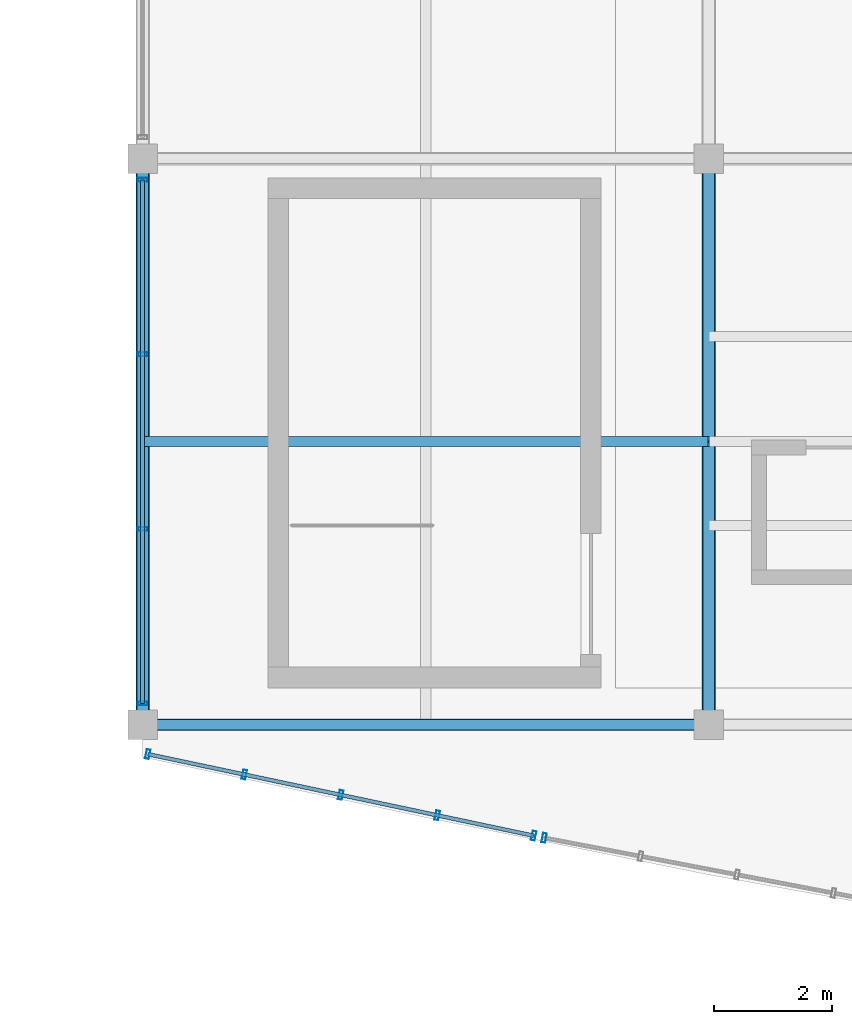
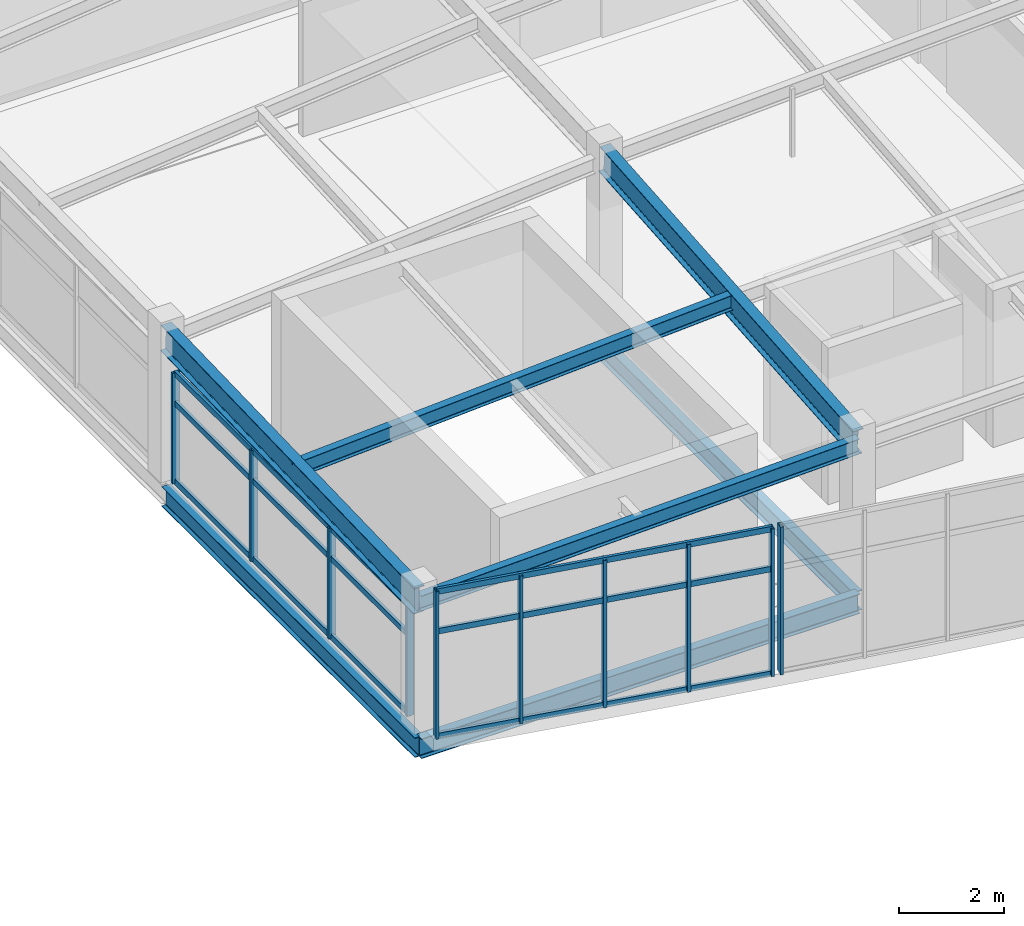
# One storey, part 31 of 65: 18 members, 5 beams, 3 elements without a shape of their own.
"""IFC4 building model written with IfcOpenShell, lengths in metres."""

from ifc_helpers import new_model, si_unit, direction, frame, origin, origin_2d, place, context, subcontext, project, spatial, hollow_rectangle, i_section, extrude, material, layer, layer_set, material_profile, profile_set, type_object, element, aggregate, save


model = new_model("IFC4")

# Units and contexts
model_context = context("Model", 3, precision=1e-05, world=origin(), true_north=direction((0.0, 1.0)))
body_context = subcontext(model_context, "Body", "Model", "MODEL_VIEW")
ifc_project = project(units=[si_unit("LENGTHUNIT", "METRE"), si_unit("AREAUNIT", "SQUARE_METRE"), si_unit("VOLUMEUNIT", "CUBIC_METRE"), si_unit("PLANEANGLEUNIT", "RADIAN"), si_unit("MASSUNIT", "GRAM", prefix="KILO")], contexts=[model_context])

# Site, building, storey
site_placement = place(None, origin())
site = spatial("IfcSite", under=ifc_project, at=site_placement, CompositionType="ELEMENT")
building_placement = place(site_placement, origin())
building = spatial("IfcBuilding", under=site, at=building_placement, Name="Chalmorin Arch Market", CompositionType="ELEMENT")
storey_placement = place(building_placement, frame((0.0, 0.0, 14.10009765625)))
storey = spatial("IfcBuildingStorey", under=building, at=storey_placement, Name="L03", CompositionType="ELEMENT", Elevation=14.10009765625)

# Curtain wall, members
ifc_material_1 = material(Name="Aluminium 6063-T6", Category="aluminium")
ifc_layer_1 = layer(ifc_material_1, 0.159912109375)
ifc_layer_set_1 = layer_set([ifc_layer_1], Name="Aluminium 6063-T6")
curtain_wall_type_1 = type_object("IfcCurtainWallType", Name="CulinaryStudioCurtainWall-CW3-8880x2570", PredefinedType="NOTDEFINED", material=ifc_layer_set_1)
curtain_wall_1_placement = place(storey_placement, origin())
curtain_wall_1 = element("IfcCurtainWall", 1, at=curtain_wall_1_placement, inside=storey, type_object=curtain_wall_type_1, Name="CW-03-109", PredefinedType="NOTDEFINED")
ifc_material_profile_1 = material_profile(ifc_material_1, hollow_rectangle(XDim=0.06494140625, YDim=0.159912109375, WallThickness=0.00390625, at=origin_2d()), Name="ALU65X160X4")
ifc_profile_set_1 = profile_set([ifc_material_profile_1], Name="Aluminium 6063-T6")
member_type_1 = type_object("IfcMemberType", Name="CurtainWallMullion-65x160", PredefinedType="MULLION", material=ifc_profile_set_1)
member_1_placement = place(storey_placement, frame((48.0, 72.360107421875, 0.0), z_axis=(0.0, 0.0, 1.0), x_axis=(0.0, 1.0, 0.0)))
member_1 = element("IfcMember", 2, at=member_1_placement, type_object=member_type_1, Name="ML-109-01", PredefinedType="MULLION", context=body_context, shape_type="SweptSolid", body=[
    extrude(hollow_rectangle(XDim=0.06494140625, YDim=0.159912109375, WallThickness=0.00390625, at=origin_2d()), origin(), (0.0, 0.0, 1.0), 2.56591796875),
])
member_2_placement = place(storey_placement, frame((48.0, 75.320068359375, 0.0), z_axis=(0.0, 0.0, 1.0), x_axis=(0.0, 1.0, 0.0)))
member_2 = element("IfcMember", 3, at=member_2_placement, type_object=member_type_1, Name="ML-109-02", PredefinedType="MULLION", context=body_context, shape_type="SweptSolid", body=[
    extrude(hollow_rectangle(XDim=0.06494140625, YDim=0.159912109375, WallThickness=0.00390625, at=origin_2d()), origin(), (0.0, 0.0, 1.0), 2.56591796875),
])
member_3_placement = place(storey_placement, frame((48.0, 78.280029296875, 0.0), z_axis=(0.0, 0.0, 1.0), x_axis=(0.0, 1.0, 0.0)))
member_3 = element("IfcMember", 4, at=member_3_placement, type_object=member_type_1, Name="ML-109-03", PredefinedType="MULLION", context=body_context, shape_type="SweptSolid", body=[
    extrude(hollow_rectangle(XDim=0.06494140625, YDim=0.159912109375, WallThickness=0.00390625, at=origin_2d()), origin(), (0.0, 0.0, 1.0), 2.56591796875),
])
member_4_placement = place(storey_placement, frame((48.0, 81.239990234375, 0.0), z_axis=(0.0, 0.0, 1.0), x_axis=(0.0, 1.0, 0.0)))
member_4 = element("IfcMember", 5, at=member_4_placement, type_object=member_type_1, Name="ML-109-04", PredefinedType="MULLION", context=body_context, shape_type="SweptSolid", body=[
    extrude(hollow_rectangle(XDim=0.06494140625, YDim=0.159912109375, WallThickness=0.00390625, at=origin_2d()), origin(), (0.0, 0.0, 1.0), 2.56591796875),
])

ifc_layer_2 = layer(ifc_material_1, 0.159912109375)
ifc_layer_set_2 = layer_set([ifc_layer_2], Name="Aluminium 6063-T6")
curtain_wall_type_2 = type_object("IfcCurtainWallType", Name="CulinaryStudioCurtainWall-CW3-6690x3420", PredefinedType="NOTDEFINED", material=ifc_layer_set_2)
curtain_wall_2_placement = place(storey_placement, origin())
curtain_wall_2 = element("IfcCurtainWall", 6, at=curtain_wall_2_placement, inside=storey, type_object=curtain_wall_type_2, Name="CW-03-152", PredefinedType="NOTDEFINED")
member_5_placement = place(storey_placement, frame((48.088134765625, 71.50146484375, -0.02001953125), z_axis=(0.0, 0.0, 1.0), x_axis=(0.978147600734, -0.207911690818, 0.0)))
member_5 = element("IfcMember", 7, at=member_5_placement, type_object=member_type_1, Name="ML-152-01", PredefinedType="MULLION", context=body_context, shape_type="SweptSolid", body=[
    extrude(hollow_rectangle(XDim=0.06494140625, YDim=0.159912109375, WallThickness=0.00390625, at=origin_2d()), origin(), (0.0, 0.0, 1.0), 3.416015625),
])
member_6_placement = place(storey_placement, frame((49.72412109375, 71.155517578125, -0.02001953125), z_axis=(0.0, 0.0, 1.0), x_axis=(0.978147600734, -0.207911690818, 0.0)))
member_6 = element("IfcMember", 8, at=member_6_placement, type_object=member_type_1, Name="ML-152-02", PredefinedType="MULLION", context=body_context, shape_type="SweptSolid", body=[
    extrude(hollow_rectangle(XDim=0.06494140625, YDim=0.159912109375, WallThickness=0.00390625, at=origin_2d()), origin(), (0.0, 0.0, 1.0), 3.416015625),
])
member_7_placement = place(storey_placement, frame((51.360107421875, 70.8095703125, -0.02001953125), z_axis=(0.0, 0.0, 1.0), x_axis=(0.978147600734, -0.207911690818, 0.0)))
member_7 = element("IfcMember", 9, at=member_7_placement, type_object=member_type_1, Name="ML-152-03", PredefinedType="MULLION", context=body_context, shape_type="SweptSolid", body=[
    extrude(hollow_rectangle(XDim=0.06494140625, YDim=0.159912109375, WallThickness=0.00390625, at=origin_2d()), origin(), (0.0, 0.0, 1.0), 3.416015625),
])
member_8_placement = place(storey_placement, frame((52.99609375, 70.46337890625, -0.02001953125), z_axis=(0.0, 0.0, 1.0), x_axis=(0.978147600734, -0.207911690818, 0.0)))
member_8 = element("IfcMember", 10, at=member_8_placement, type_object=member_type_1, Name="ML-152-04", PredefinedType="MULLION", context=body_context, shape_type="SweptSolid", body=[
    extrude(hollow_rectangle(XDim=0.06494140625, YDim=0.159912109375, WallThickness=0.00390625, at=origin_2d()), origin(), (0.0, 0.0, 1.0), 3.416015625),
])
member_9_placement = place(storey_placement, frame((54.6318359375, 70.11767578125, -0.02001953125), z_axis=(0.0, 0.0, 1.0), x_axis=(0.978147600734, -0.207911690818, 0.0)))
member_9 = element("IfcMember", 11, at=member_9_placement, type_object=member_type_1, Name="ML-152-05", PredefinedType="MULLION", context=body_context, shape_type="SweptSolid", body=[
    extrude(hollow_rectangle(XDim=0.06494140625, YDim=0.159912109375, WallThickness=0.00390625, at=origin_2d()), origin(), (0.0, 0.0, 1.0), 3.416015625),
])

# Curtain wall, member
ifc_layer_3 = layer(ifc_material_1, 0.159912109375)
ifc_layer_set_3 = layer_set([ifc_layer_3], Name="Aluminium 6063-T6")
curtain_wall_type_3 = type_object("IfcCurtainWallType", Name="CulinaryStudioCurtainWall-CW3-6660x3420", PredefinedType="NOTDEFINED", material=ifc_layer_set_3)
curtain_wall_3_placement = place(storey_placement, origin())
curtain_wall_3 = element("IfcCurtainWall", 12, at=curtain_wall_3_placement, inside=storey, type_object=curtain_wall_type_3, Name="CW-03-155", PredefinedType="NOTDEFINED")
member_10_placement = place(storey_placement, frame((54.808349609375, 70.08203125, -0.02001953125), z_axis=(0.0, 0.0, 1.0), x_axis=(0.981627183448, -0.190808995377, 0.0)))
member_10 = element("IfcMember", 13, at=member_10_placement, type_object=member_type_1, Name="ML-155-01", PredefinedType="MULLION", context=body_context, shape_type="SweptSolid", body=[
    extrude(hollow_rectangle(XDim=0.06494140625, YDim=0.159912109375, WallThickness=0.00390625, at=origin_2d()), origin(), (0.0, 0.0, 1.0), 3.4208984375),
])
aggregate(curtain_wall_3, [member_10])

# Member
ifc_material_profile_2 = material_profile(ifc_material_1, hollow_rectangle(XDim=0.06494140625, YDim=0.1298828125, WallThickness=0.00390625, at=origin_2d()), Name="ALU65X130X4")
ifc_profile_set_2 = profile_set([ifc_material_profile_2], Name="Aluminium 6063-T6")
member_type_2 = type_object("IfcMemberType", Name="CurtainWallTransom-65x130", PredefinedType="USERDEFINED", material=ifc_profile_set_2)
member_11_placement = place(storey_placement, frame((48.0, 72.360107421875, 0.034912109375), z_axis=(0.0, 1.0, 0.0), x_axis=(-1.0, 0.0, 0.0)))
member_11 = element("IfcMember", 14, at=member_11_placement, type_object=member_type_2, Name="TR-109-01", ObjectType="TRANSOM", PredefinedType="USERDEFINED", context=body_context, shape_type="SweptSolid", body=[
    extrude(hollow_rectangle(XDim=0.06494140625, YDim=0.1298828125, WallThickness=0.00390625, at=origin_2d()), origin(), (0.0, 0.0, 1.0), 8.8798828125),
])

member_12_placement = place(storey_placement, frame((48.0, 72.360107421875, 1.847412109375), z_axis=(0.0, 1.0, 0.0), x_axis=(-1.0, 0.0, 0.0)))
member_12 = element("IfcMember", 15, at=member_12_placement, type_object=member_type_2, Name="TR-109-02", ObjectType="TRANSOM", PredefinedType="USERDEFINED", context=body_context, shape_type="SweptSolid", body=[
    extrude(hollow_rectangle(XDim=0.06494140625, YDim=0.1298828125, WallThickness=0.00390625, at=origin_2d()), origin(), (0.0, 0.0, 1.0), 8.8798828125),
])

member_13_placement = place(storey_placement, frame((48.0, 72.360107421875, 2.531005859375), z_axis=(0.0, 1.0, 0.0), x_axis=(-1.0, 0.0, 0.0)))
member_13 = element("IfcMember", 16, at=member_13_placement, type_object=member_type_2, Name="TR-109-03", ObjectType="TRANSOM", PredefinedType="USERDEFINED", context=body_context, shape_type="SweptSolid", body=[
    extrude(hollow_rectangle(XDim=0.06494140625, YDim=0.1298828125, WallThickness=0.00390625, at=origin_2d()), origin(), (0.0, 0.0, 1.0), 8.8798828125),
])

aggregate(curtain_wall_1, [member_1, member_2, member_3, member_4, member_11, member_12, member_13])

member_14_placement = place(storey_placement, frame((48.088134765625, 71.50146484375, 0.014892578125), z_axis=(0.978363487727, -0.206893416723, 0.0), x_axis=(0.206893416723, 0.978363487727, 0.0)))
member_14 = element("IfcMember", 17, at=member_14_placement, type_object=member_type_2, Name="TR-152-01", ObjectType="TRANSOM", PredefinedType="USERDEFINED", context=body_context, shape_type="SweptSolid", body=[
    extrude(hollow_rectangle(XDim=0.06494140625, YDim=0.1298828125, WallThickness=0.00390625, at=origin_2d()), origin(), (0.0, 0.0, 1.0), 6.6884765625),
])

member_15_placement = place(storey_placement, frame((48.088134765625, 71.50146484375, 2.439453125), z_axis=(0.978363487727, -0.206893416723, 0.0), x_axis=(0.206893416723, 0.978363487727, 0.0)))
member_15 = element("IfcMember", 18, at=member_15_placement, type_object=member_type_2, Name="TR-152-02", ObjectType="TRANSOM", PredefinedType="USERDEFINED", context=body_context, shape_type="SweptSolid", body=[
    extrude(hollow_rectangle(XDim=0.06494140625, YDim=0.1298828125, WallThickness=0.00390625, at=origin_2d()), origin(), (0.0, 0.0, 1.0), 6.6884765625),
])

member_16_placement = place(storey_placement, frame((48.088134765625, 71.50146484375, 3.36083984375), z_axis=(0.978363487727, -0.206893416723, 0.0), x_axis=(0.206893416723, 0.978363487727, 0.0)))
member_16 = element("IfcMember", 19, at=member_16_placement, type_object=member_type_2, Name="TR-152-03", ObjectType="TRANSOM", PredefinedType="USERDEFINED", context=body_context, shape_type="SweptSolid", body=[
    extrude(hollow_rectangle(XDim=0.06494140625, YDim=0.1298828125, WallThickness=0.00390625, at=origin_2d()), origin(), (0.0, 0.0, 1.0), 6.6884765625),
])

aggregate(curtain_wall_2, [member_5, member_6, member_7, member_8, member_9, member_14, member_15, member_16])

# Beams
ifc_material_2 = material(Name="Steel A992 Grade 50", Category="steel")
ifc_material_profile_3 = material_profile(ifc_material_2, i_section(OverallWidth=0.19091796875, OverallDepth=0.45703125, WebThickness=0.009033203125, FlangeThickness=0.014404296875, FilletRadius=0.02001953125, at=origin_2d()), Name="W18X50")
ifc_profile_set_3 = profile_set([ifc_material_profile_3], Name="Steel A992 Grade 50")
beam_type_1 = type_object("IfcBeamType", Name="FloorSteelBeam-W18X50", PredefinedType="BEAM", material=ifc_profile_set_3)
beam_1_placement = place(storey_placement, frame((57.60009765625, 72.0, -0.510498046875), z_axis=(0.0, 1.0, 0.0), x_axis=(-1.0, 0.0, 0.0)))
element("IfcBeam", 20, at=beam_1_placement, inside=storey, type_object=beam_type_1, Name="BM-W18B-1380", PredefinedType="BEAM", context=body_context, shape_type="SweptSolid", body=[
    extrude(i_section(OverallWidth=0.19091796875, OverallDepth=0.45703125, WebThickness=0.009033203125, FlangeThickness=0.014404296875, FilletRadius=0.02001953125, at=origin_2d()), origin(), (0.0, 0.0, 1.0), 9.60009765625),
])
ifc_material_profile_4 = material_profile(ifc_material_2, i_section(OverallWidth=0.19091796875, OverallDepth=0.45703125, WebThickness=0.009033203125, FlangeThickness=0.014404296875, FilletRadius=0.02001953125, at=origin_2d()), Name="W18X50")
ifc_profile_set_4 = profile_set([ifc_material_profile_4], Name="Steel A992 Grade 50")
beam_type_2 = type_object("IfcBeamType", Name="PerimeterSpandrelBeam-W18X50", PredefinedType="SPANDREL", material=ifc_profile_set_4)
for number, where, z_axis, x_axis, name in (
    (21, (48.0, 72.0, -0.510498046875), (1.0, 0.0, 0.0), (0.0, 1.0, 0.0), "SP-W18-1377"),
    (22, (48.0, 72.0, -0.510498046875), (0.0, 1.0, 0.0), (-1.0, 0.0, 0.0), "SP-W18-1379"),
):
    element("IfcBeam", number, at=place(storey_placement, frame(where, z_axis=z_axis, x_axis=x_axis)), inside=storey, type_object=beam_type_2, Name=name, PredefinedType="SPANDREL", context=body_context, shape_type="SweptSolid", body=[
        extrude(i_section(OverallWidth=0.19091796875, OverallDepth=0.45703125, WebThickness=0.009033203125, FlangeThickness=0.014404296875, FilletRadius=0.02001953125, at=origin_2d()), origin(), (0.0, 0.0, 1.0), 9.60009765625),
    ])
ifc_material_profile_5 = material_profile(ifc_material_2, i_section(OverallWidth=0.22802734375, OverallDepth=0.60791015625, WebThickness=0.01123046875, FlangeThickness=0.017333984375, FilletRadius=0.02392578125, at=origin_2d()), Name="W24X76")
ifc_profile_set_5 = profile_set([ifc_material_profile_5], Name="Steel A992 Grade 50")
beam_type_3 = type_object("IfcBeamType", Name="PrimarySteelGirder-W24X76", PredefinedType="BEAM", material=ifc_profile_set_5)
beam_2_placement = place(storey_placement, frame((48.0, 72.0, 2.885009765625), z_axis=(0.0, 0.999578539973, 0.029030026261), x_axis=(-1.0, 0.0, 0.0)))
element("IfcBeam", 23, at=beam_2_placement, inside=storey, type_object=beam_type_3, Name="BG-W24B-1545", PredefinedType="BEAM", context=body_context, shape_type="SweptSolid", body=[
    extrude(i_section(OverallWidth=0.22802734375, OverallDepth=0.60791015625, WebThickness=0.01123046875, FlangeThickness=0.017333984375, FilletRadius=0.02392578125, at=origin_2d()), origin(), (0.0, 0.0, 1.0), 9.604248046875),
])
beam_3_placement = place(storey_placement, frame((57.60009765625, 72.0, 3.164794921875), z_axis=(0.0, 0.99671529307, 0.08098533547), x_axis=(-1.0, 0.0, 0.0)))
element("IfcBeam", 24, at=beam_3_placement, inside=storey, type_object=beam_type_3, Name="BG-W24B-1550", PredefinedType="BEAM", context=body_context, shape_type="SweptSolid", body=[
    extrude(i_section(OverallWidth=0.22802734375, OverallDepth=0.60791015625, WebThickness=0.01123046875, FlangeThickness=0.017333984375, FilletRadius=0.02392578125, at=origin_2d()), origin(), (0.0, 0.0, 1.0), 9.6318359375),
])

# Members
ifc_material_profile_6 = material_profile(ifc_material_2, i_section(OverallWidth=0.1708984375, OverallDepth=0.35107421875, WebThickness=0.0068359375, FlangeThickness=0.009765625, FilletRadius=0.014892578125, at=origin_2d()), Name="W14X30")
ifc_profile_set_6 = profile_set([ifc_material_profile_6], Name="Steel A992 Grade 50")
member_type_3 = type_object("IfcMemberType", Name="RoofSteelPurlin-W14X30", PredefinedType="PURLIN", material=ifc_profile_set_6)
member_17_placement = place(storey_placement, frame((48.0, 72.0, 2.844970703125), z_axis=(0.999574843709, 0.0, 0.029157020135), x_axis=(0.0, 1.0, 0.0)))
element("IfcMember", 25, at=member_17_placement, inside=storey, type_object=member_type_3, Name="PR-W14-0049", PredefinedType="PURLIN", context=body_context, shape_type="SweptSolid", body=[
    extrude(i_section(OverallWidth=0.1708984375, OverallDepth=0.35107421875, WebThickness=0.0068359375, FlangeThickness=0.009765625, FilletRadius=0.014892578125, at=origin_2d()), origin(), (0.0, 0.0, 1.0), 9.604248046875),
])
member_18_placement = place(storey_placement, frame((48.0, 76.800048828125, 2.995849609375), z_axis=(0.998356799916, 0.0, 0.057303578084), x_axis=(0.0, 1.0, 0.0)))
element("IfcMember", 26, at=member_18_placement, inside=storey, type_object=member_type_3, Name="PR-W14-0056", PredefinedType="PURLIN", context=body_context, shape_type="SweptSolid", body=[
    extrude(i_section(OverallWidth=0.1708984375, OverallDepth=0.35107421875, WebThickness=0.0068359375, FlangeThickness=0.009765625, FilletRadius=0.014892578125, at=origin_2d()), origin(), (0.0, 0.0, 1.0), 9.615966796875),
])

save(model, "model.ifc")
